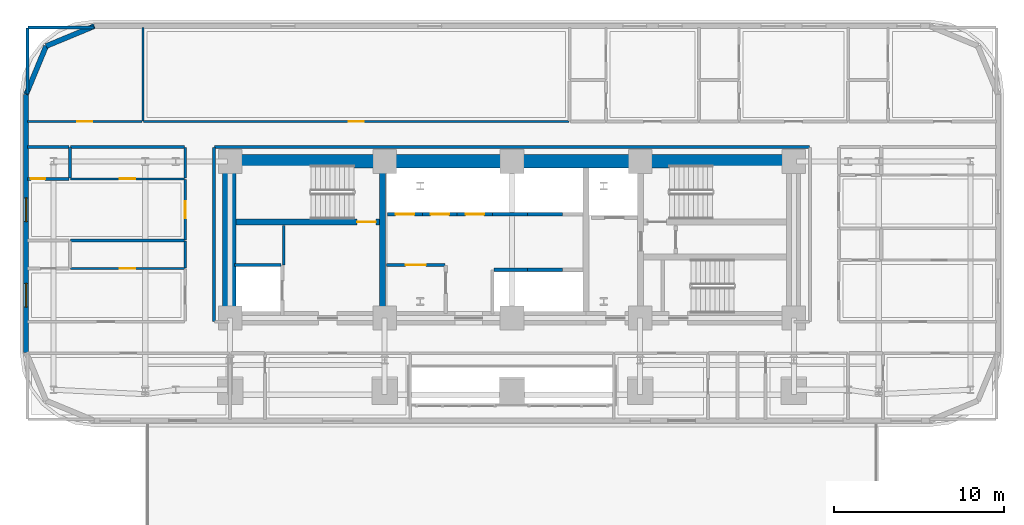
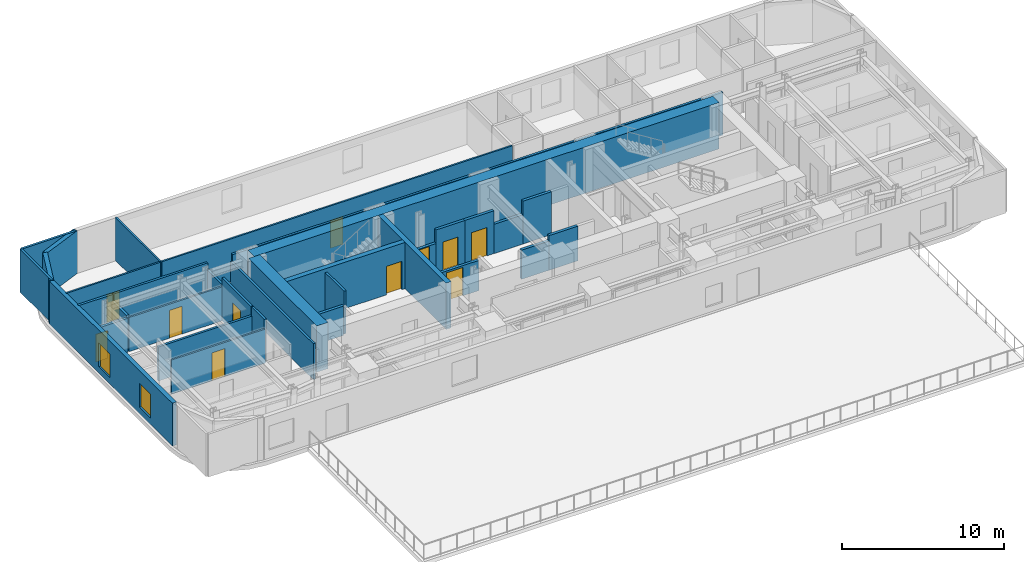
# One storey, part 8 of 15: 34 walls, 11 doors, 2 windows, 13 openings.
"""IFC4 building model written with IfcOpenShell, lengths in metres."""

from ifc_helpers import new_model, si_unit, direction, frame, frame_2d, origin, place, context, subcontext, project, spatial, rectangle, extrude, material, layer, layer_set, type_object, element, fill, save


model = new_model("IFC4")

# Units and contexts
model_context = context("Model", 3, precision=1e-05, world=origin(), true_north=direction((0.0, 1.0)))
body_context = subcontext(model_context, "Body", "Model", "MODEL_VIEW")
ifc_project = project(units=[si_unit("LENGTHUNIT", "METRE"), si_unit("AREAUNIT", "SQUARE_METRE"), si_unit("VOLUMEUNIT", "CUBIC_METRE"), si_unit("PLANEANGLEUNIT", "RADIAN"), si_unit("MASSUNIT", "GRAM", prefix="KILO")], contexts=[model_context])

# Site, building, storey
site_placement = place(None, origin())
site = spatial("IfcSite", under=ifc_project, at=site_placement, CompositionType="ELEMENT")
building_placement = place(site_placement, origin())
building = spatial("IfcBuilding", under=site, at=building_placement, Name="Zarnavel Station Tower", CompositionType="ELEMENT")
storey_placement = place(building_placement, frame((0.0, 0.0, 29.0)))
storey = spatial("IfcBuildingStorey", under=building, at=storey_placement, Name="L07", CompositionType="ELEMENT", Elevation=29.0)

# Wall
ifc_material_1 = material(Name="Concrete C50/60", Category="concrete")
ifc_layer_1 = layer(ifc_material_1, 0.35009765625)
ifc_layer_set_1 = layer_set([ifc_layer_1], Name="CW_350")
wall_type_1 = type_object("IfcWallType", Name="CW_350", PredefinedType="SHEAR", material=ifc_layer_set_1)
wall_1_placement = place(storey_placement, frame((21.179931640625, 28.219970703125, 0.0), z_axis=(0.0, 0.0, 1.0), x_axis=(0.0, 1.0, 0.0)))
element("IfcWall", 1, at=wall_1_placement, inside=storey, type_object=wall_type_1, Name="L07 Rear Core Shear Wall DIV-W", PredefinedType="SHEAR", context=body_context, shape_type="SweptSolid", body=[
    extrude(rectangle(XDim=8.429931640625, YDim=0.35009765625, at=frame_2d((4.21484375, 0.0))), origin(), (0.0, 0.0, 1.0), 3.5),
])

# Wall, opening, door
wall_2_placement = place(storey_placement, frame((21.0048828125, 33.47998046875, 0.0), z_axis=(0.0, 0.0, 1.0), x_axis=(-1.0, 0.0, 0.0)))
wall_2 = element("IfcWall", 2, at=wall_2_placement, inside=storey, type_object=wall_type_1, Name="L07 Rear Core Shear Wall DIV-H1", PredefinedType="SHEAR", context=body_context, shape_type="SweptSolid", body=[
    extrude(rectangle(XDim=8.454833984375, YDim=0.35009765625, at=frame_2d((4.2275390625, 0.0))), origin(), (0.0, 0.0, 1.0), 3.5),
])
opening_1_placement = place(wall_2_placement, frame((0.219970703125, 0.0, 0.0)))
opening_1 = element("IfcOpeningElement", 3, at=opening_1_placement, cuts=wall_2, Name="Opening FD01", PredefinedType="OPENING", context=body_context, shape_type="SweptSolid", body=[
    extrude(rectangle(XDim=1.10009765625, YDim=2.14990234375, at=frame_2d((0.550048828125, 1.074951171875))), frame((0.0, 0.18505859375, 0.0), z_axis=(0.0, -1.0, 0.0), x_axis=(1.0, 0.0, 0.0)), (0.0, 0.0, 1.0), 0.3701171875),
])
ifc_material_2 = material(Name="Painted Galvanised Steel and Hardwood Leaf", Category="steel")
door_type_1 = type_object("IfcDoorType", Name="ID_STAIR_1100", OperationType="NOTDEFINED", PredefinedType="DOOR", material=ifc_material_2)
door_1_placement = place(opening_1_placement, origin())
door_1 = element("IfcDoor", 4, at=door_1_placement, inside=storey, type_object=door_type_1, Name="L07 Stair ST1 Lobby Fire Door", OperationType="SINGLE_SWING_LEFT", OverallHeight=2.14990234375, OverallWidth=1.10009765625, PredefinedType="DOOR", context=body_context, shape_type="SweptSolid", body=[
    extrude(rectangle(XDim=1.10009765625, YDim=2.14990234375, at=frame_2d((0.550048828125, 1.074951171875))), frame((0.0, 0.02490234375, 0.0), z_axis=(0.0, -1.0, 0.0), x_axis=(1.0, 0.0, 0.0)), (0.0, 0.0, 1.0), 0.050048828125),
])
fill(opening_1, door_1)

# Walls
ifc_material_3 = material(Name="Concrete C60/75", Category="concrete")
ifc_layer_2 = layer(ifc_material_3, 0.800048828125)
ifc_layer_set_2 = layer_set([ifc_layer_2], Name="CW_800")
wall_type_2 = type_object("IfcWallType", Name="CW_800", PredefinedType="SHEAR", material=ifc_layer_set_2)
wall_3_placement = place(storey_placement, frame((12.14990234375, 37.050048828125, 0.0), z_axis=(0.0, 0.0, 1.0), x_axis=(1.0, 0.0, 0.0)))
element("IfcWall", 5, at=wall_3_placement, inside=storey, type_object=wall_type_2, Name="L07 Rear Core Shear Wall N", PredefinedType="SHEAR", context=body_context, shape_type="SweptSolid", body=[
    extrude(rectangle(XDim=33.22998046875, YDim=0.800048828125, at=frame_2d((16.614990234375, 0.0))), origin(), (0.0, 0.0, 1.0), 3.5),
])
wall_4_placement = place(storey_placement, frame((12.14990234375, 28.219970703125, 0.0), z_axis=(0.0, 0.0, 1.0), x_axis=(0.0, 1.0, 0.0)))
element("IfcWall", 6, at=wall_4_placement, inside=storey, type_object=wall_type_2, Name="L07 Rear Core Shear Wall W", PredefinedType="SHEAR", context=body_context, shape_type="SweptSolid", body=[
    extrude(rectangle(XDim=8.429931640625, YDim=0.800048828125, at=frame_2d((4.21484375, 0.0))), origin(), (0.0, 0.0, 1.0), 3.5),
])
ifc_material_4 = material(Name="Precast concrete C45/55 (Dark Basalt Finish)", Category="masonry")
ifc_layer_3 = layer(ifc_material_4, 0.300048828125)
ifc_layer_set_3 = layer_set([ifc_layer_3], Name="EW_BASALT_300")
wall_type_3 = type_object("IfcWallType", Name="EW_BASALT_300", PredefinedType="SOLIDWALL", material=ifc_layer_set_3)
for number, where, z_axis, x_axis, name in (
    (7, (1.357421875, 43.842529296875, 0.0), (0.0, 0.0, 1.0), (0.923870793506, 0.382704529509, 0.0), "L07 Exterior Basalt Masonry Frame Wall 07"),
    (8, (0.179931640625, 41.0, 0.0), (0.0, 0.0, 1.0), (0.382704529509, 0.923870793506, 0.0), "L07 Exterior Basalt Masonry Frame Wall 08"),
):
    element("IfcWall", number, at=place(storey_placement, frame(where, z_axis=z_axis, x_axis=x_axis)), inside=storey, type_object=wall_type_3, Name=name, PredefinedType="SOLIDWALL", context=body_context, shape_type="SweptSolid", body=[
        extrude(rectangle(XDim=3.07666015625, YDim=0.300048828125, at=frame_2d((1.538330078125, 0.0))), origin(), (0.0, 0.0, 1.0), 3.239990234375),
    ])

# Wall, openings, windows
wall_5_placement = place(storey_placement, frame((0.179931640625, 25.800048828125, 0.0), z_axis=(0.0, 0.0, 1.0), x_axis=(0.0, 1.0, 0.0)))
wall_5 = element("IfcWall", 9, at=wall_5_placement, inside=storey, type_object=wall_type_3, Name="L07 Exterior Basalt Masonry Frame Wall 09", PredefinedType="SOLIDWALL", context=body_context, shape_type="SweptSolid", body=[
    extrude(rectangle(XDim=15.199951171875, YDim=0.300048828125, at=frame_2d((7.60009765625, 0.0))), origin(), (0.0, 0.0, 1.0), 3.239990234375),
])
opening_2_placement = place(wall_5_placement, frame((2.67041015625, 0.0, 0.47998046875)))
opening_2 = element("IfcOpeningElement", 10, at=opening_2_placement, cuts=wall_5, Name="Opening WN01", PredefinedType="OPENING", context=body_context, shape_type="SweptSolid", body=[
    extrude(rectangle(XDim=1.39990234375, YDim=1.800048828125, at=frame_2d((0.699951171875, 0.89990234375))), frame((0.0, 0.159912109375, 0.0), z_axis=(0.0, -1.0, 0.0), x_axis=(1.0, 0.0, 0.0)), (0.0, 0.0, 1.0), 0.320068359375),
])
opening_3_placement = place(wall_5_placement, frame((7.708984375, 0.0, 0.47998046875)))
opening_3 = element("IfcOpeningElement", 11, at=opening_3_placement, cuts=wall_5, Name="Opening WN01", PredefinedType="OPENING", context=body_context, shape_type="SweptSolid", body=[
    extrude(rectangle(XDim=1.39990234375, YDim=1.800048828125, at=frame_2d((0.699951171875, 0.89990234375))), frame((0.0, 0.159912109375, 0.0), z_axis=(0.0, -1.0, 0.0), x_axis=(1.0, 0.0, 0.0)), (0.0, 0.0, 1.0), 0.320068359375),
])
ifc_material_5 = material(Name="Thermally Broken Black Aluminium and Low-E Dark Glass", Category="aluminium")
window_type = type_object("IfcWindowType", Name="WN_1400x1800", PartitioningType="DOUBLE_PANEL_VERTICAL", PredefinedType="WINDOW", material=ifc_material_5)
window_1_placement = place(opening_2_placement, origin())
window_1 = element("IfcWindow", 12, at=window_1_placement, inside=storey, type_object=window_type, Name="L07 Recessed Facade Window 01", OverallHeight=1.800048828125, OverallWidth=1.39990234375, PartitioningType="SINGLE_PANEL", PredefinedType="WINDOW", context=body_context, shape_type="SweptSolid", body=[
    extrude(rectangle(XDim=1.39990234375, YDim=1.800048828125, at=frame_2d((0.699951171875, 0.89990234375))), frame((0.0, 0.030029296875, 0.0), z_axis=(0.0, -1.0, 0.0), x_axis=(1.0, 0.0, 0.0)), (0.0, 0.0, 1.0), 0.06005859375),
])
fill(opening_2, window_1)
window_2_placement = place(opening_3_placement, origin())
window_2 = element("IfcWindow", 13, at=window_2_placement, inside=storey, type_object=window_type, Name="L07 Recessed Facade Window 02", OverallHeight=1.800048828125, OverallWidth=1.39990234375, PartitioningType="SINGLE_PANEL", PredefinedType="WINDOW", context=body_context, shape_type="SweptSolid", body=[
    extrude(rectangle(XDim=1.39990234375, YDim=1.800048828125, at=frame_2d((0.699951171875, 0.89990234375))), frame((0.0, 0.030029296875, 0.0), z_axis=(0.0, -1.0, 0.0), x_axis=(1.0, 0.0, 0.0)), (0.0, 0.0, 1.0), 0.06005859375),
])
fill(opening_3, window_2)

# Wall
ifc_material_6 = material(Name="Gypsum Twin-Stud Acoustic Fire Partition", Category="concrete")
ifc_layer_4 = layer(ifc_material_6, 0.159912109375)
ifc_layer_set_4 = layer_set([ifc_layer_4], Name="PT_DEMISE_160")
wall_type_4 = type_object("IfcWallType", Name="PT_DEMISE_160", PredefinedType="PARTITIONING", material=ifc_layer_set_4)
wall_6_placement = place(storey_placement, frame((9.550048828125, 30.781005859375, 0.0), z_axis=(0.0, 0.0, 1.0), x_axis=(0.0, 1.0, 0.0)))
element("IfcWall", 14, at=wall_6_placement, inside=storey, type_object=wall_type_4, Name="L07 Partition COR-W-FNW1S", PredefinedType="PARTITIONING", context=body_context, shape_type="SweptSolid", body=[
    extrude(rectangle(XDim=1.570068359375, YDim=0.159912109375, at=frame_2d((0.78515625, 0.0))), origin(), (0.0, 0.0, 1.0), 3.239990234375),
])

# Wall, opening, door
wall_7_placement = place(storey_placement, frame((9.550048828125, 32.430908203125, 0.0), z_axis=(0.0, 0.0, 1.0), x_axis=(0.0, 1.0, 0.0)))
wall_7 = element("IfcWall", 15, at=wall_7_placement, inside=storey, type_object=wall_type_4, Name="L07 Partition COR-W-FNW2R", PredefinedType="PARTITIONING", context=body_context, shape_type="SweptSolid", body=[
    extrude(rectangle(XDim=3.55615234375, YDim=0.159912109375, at=frame_2d((1.778076171875, 0.0))), origin(), (0.0, 0.0, 1.0), 3.239990234375),
])
opening_4_placement = place(wall_7_placement, frame((1.278076171875, 0.0, 0.0)))
opening_4 = element("IfcOpeningElement", 16, at=opening_4_placement, cuts=wall_7, Name="Opening FD02", PredefinedType="OPENING", context=body_context, shape_type="SweptSolid", body=[
    extrude(rectangle(XDim=1.0, YDim=2.14990234375, at=frame_2d((0.5, 1.074951171875))), frame((0.0, 0.08984375, 0.0), z_axis=(0.0, -1.0, 0.0), x_axis=(1.0, 0.0, 0.0)), (0.0, 0.0, 1.0), 0.179931640625),
])
ifc_material_7 = material(Name="Painted Galvanised Steel and Hardwood Leaf", Category="steel")
door_type_2 = type_object("IfcDoorType", Name="ID_ENTRY_1000", OperationType="NOTDEFINED", PredefinedType="DOOR", material=ifc_material_7)
door_2_placement = place(opening_4_placement, origin())
door_2 = element("IfcDoor", 17, at=door_2_placement, inside=storey, type_object=door_type_2, Name="L07 Door COR-W-FNW2R", OperationType="SINGLE_SWING_RIGHT", OverallHeight=2.14990234375, OverallWidth=1.0, PredefinedType="DOOR", context=body_context, shape_type="SweptSolid", body=[
    extrude(rectangle(XDim=1.0, YDim=2.14990234375, at=frame_2d((0.5, 1.074951171875))), frame((0.0, 0.02490234375, 0.0), z_axis=(0.0, -1.0, 0.0), x_axis=(1.0, 0.0, 0.0)), (0.0, 0.0, 1.0), 0.050048828125),
])
fill(opening_4, door_2)

# Walls
wall_8_placement = place(storey_placement, frame((9.550048828125, 36.06689453125, 0.0), z_axis=(0.0, 0.0, 1.0), x_axis=(0.0, 1.0, 0.0)))
element("IfcWall", 18, at=wall_8_placement, inside=storey, type_object=wall_type_4, Name="L07 Partition COR-W-FNW2S", PredefinedType="PARTITIONING", context=body_context, shape_type="SweptSolid", body=[
    extrude(rectangle(XDim=1.793212890625, YDim=0.159912109375, at=frame_2d((0.896484375, 0.0))), origin(), (0.0, 0.0, 1.0), 2.719970703125),
])
wall_9_placement = place(storey_placement, frame((2.800048828125, 37.89990234375, 0.0), z_axis=(0.0, 0.0, 1.0), x_axis=(1.0, 0.0, 0.0)))
element("IfcWall", 19, at=wall_9_placement, inside=storey, type_object=wall_type_4, Name="L07 Partition COR-N-FNW2S", PredefinedType="PARTITIONING", context=body_context, shape_type="SweptSolid", body=[
    extrude(rectangle(XDim=6.7099609375, YDim=0.159912109375, at=frame_2d((3.35498046875, 0.0))), origin(), (0.0, 0.0, 1.0), 3.239990234375),
])
wall_10_placement = place(storey_placement, frame((2.800048828125, 32.39111328125, 0.0), z_axis=(0.0, 0.0, 1.0), x_axis=(1.0, 0.0, 0.0)))
element("IfcWall", 20, at=wall_10_placement, inside=storey, type_object=wall_type_4, Name="L07 Partition FNW1S-FNW2R", PredefinedType="PARTITIONING", context=body_context, shape_type="SweptSolid", body=[
    extrude(rectangle(XDim=6.7099609375, YDim=0.159912109375, at=frame_2d((3.35498046875, 0.0))), origin(), (0.0, 0.0, 1.0), 2.570068359375),
])
wall_11_placement = place(storey_placement, frame((15.35009765625, 30.9599609375, 0.0), z_axis=(0.0, 0.0, 1.0), x_axis=(0.0, 1.0, 0.0)))
element("IfcWall", 21, at=wall_11_placement, inside=storey, type_object=wall_type_4, Name="L07 Enclosure Wall FFL1", PredefinedType="PARTITIONING", context=body_context, shape_type="SweptSolid", body=[
    extrude(rectangle(XDim=2.31005859375, YDim=0.159912109375, at=frame_2d((1.155029296875, 0.0))), origin(), (0.0, 0.0, 1.0), 3.239990234375),
])
wall_12_placement = place(storey_placement, frame((11.25, 27.6298828125, 0.0), z_axis=(0.0, 0.0, 1.0), x_axis=(0.0, 1.0, 0.0)))
element("IfcWall", 22, at=wall_12_placement, inside=storey, type_object=wall_type_4, Name="L07 Enclosure Wall COR-W", PredefinedType="PARTITIONING", context=body_context, shape_type="SweptSolid", body=[
    extrude(rectangle(XDim=10.240234375, YDim=0.159912109375, at=frame_2d((5.1201171875, 0.0))), origin(), (0.0, 0.0, 1.0), 2.719970703125),
])
wall_13_placement = place(storey_placement, frame((11.280029296875, 37.89990234375, 0.0), z_axis=(0.0, 0.0, 1.0), x_axis=(1.0, 0.0, 0.0)))
element("IfcWall", 23, at=wall_13_placement, inside=storey, type_object=wall_type_4, Name="L07 Enclosure Wall COR-N", PredefinedType="PARTITIONING", context=body_context, shape_type="SweptSolid", body=[
    extrude(rectangle(XDim=35.0400390625, YDim=0.159912109375, at=frame_2d((17.52001953125, 0.0))), origin(), (0.0, 0.0, 1.0), 3.239990234375),
])
for number, where, z_axis, x_axis, name in (
    (24, (0.2900390625, 44.93994140625, 0.0), (0.0, 0.0, 1.0), (1.0, 0.0, 0.0), "L07 Enclosure Wall HSKP"),
    (25, (0.260009765625, 41.030029296875, 0.0), (0.0, 0.0, 1.0), (0.0, 1.0, 0.0), "L07 Enclosure Wall HSKP"),
):
    element("IfcWall", number, at=place(storey_placement, frame(where, z_axis=z_axis, x_axis=x_axis)), inside=storey, type_object=wall_type_4, Name=name, PredefinedType="PARTITIONING", context=body_context, shape_type="SweptSolid", body=[
        extrude(rectangle(XDim=3.8798828125, YDim=0.159912109375, at=frame_2d((1.93994140625, 0.0))), origin(), (0.0, 0.0, 1.0), 3.239990234375),
    ])

# Wall, opening, door
ifc_material_8 = material(Name="Gypsum Metal-Stud Interior Partition", Category="concrete")
ifc_layer_5 = layer(ifc_material_8, 0.1201171875)
ifc_layer_set_5 = layer_set([ifc_layer_5], Name="PT_ROOM_120")
wall_type_5 = type_object("IfcWallType", Name="PT_ROOM_120", PredefinedType="PARTITIONING", material=ifc_layer_set_5)
wall_14_placement = place(storey_placement, frame((0.260009765625, 39.39990234375, 0.0), z_axis=(0.0, 0.0, 1.0), x_axis=(1.0, 0.0, 0.0)))
wall_14 = element("IfcWall", 26, at=wall_14_placement, inside=storey, type_object=wall_type_5, Name="L07 Partition COR-N-HSKP", PredefinedType="PARTITIONING", context=body_context, shape_type="SweptSolid", body=[
    extrude(rectangle(XDim=6.760009765625, YDim=0.1201171875, at=frame_2d((3.3798828125, 0.0))), origin(), (0.0, 0.0, 1.0), 3.239990234375),
])
opening_5_placement = place(wall_14_placement, frame((2.929931640625, 0.0, 0.0)))
opening_5 = element("IfcOpeningElement", 27, at=opening_5_placement, cuts=wall_14, Name="Opening ID01", PredefinedType="OPENING", context=body_context, shape_type="SweptSolid", body=[
    extrude(rectangle(XDim=0.89990234375, YDim=2.10009765625, at=frame_2d((0.449951171875, 1.050048828125))), frame((0.0, 0.070068359375, 0.0), z_axis=(0.0, -1.0, 0.0), x_axis=(1.0, 0.0, 0.0)), (0.0, 0.0, 1.0), 0.14013671875),
])
ifc_material_9 = material(Name="Painted Galvanised Steel and Hardwood Leaf", Category="steel")
door_type_3 = type_object("IfcDoorType", Name="ID_ROOM_900", OperationType="NOTDEFINED", PredefinedType="DOOR", material=ifc_material_9)
door_3_placement = place(opening_5_placement, origin())
door_3 = element("IfcDoor", 28, at=door_3_placement, inside=storey, type_object=door_type_3, Name="L07 Door COR-N-HSKP", OperationType="SINGLE_SWING_LEFT", OverallHeight=2.10009765625, OverallWidth=0.89990234375, PredefinedType="DOOR", context=body_context, shape_type="SweptSolid", body=[
    extrude(rectangle(XDim=0.89990234375, YDim=2.10009765625, at=frame_2d((0.449951171875, 1.050048828125))), frame((0.0, 0.02490234375, 0.0), z_axis=(0.0, -1.0, 0.0), x_axis=(1.0, 0.0, 0.0)), (0.0, 0.0, 1.0), 0.050048828125),
])
fill(opening_5, door_3)

wall_15_placement = place(storey_placement, frame((7.10009765625, 39.39990234375, 0.0), z_axis=(0.0, 0.0, 1.0), x_axis=(1.0, 0.0, 0.0)))
wall_15 = element("IfcWall", 29, at=wall_15_placement, inside=storey, type_object=wall_type_5, Name="L07 Partition COR-N-NCLB", PredefinedType="PARTITIONING", context=body_context, shape_type="SweptSolid", body=[
    extrude(rectangle(XDim=25.059814453125, YDim=0.1201171875, at=frame_2d((12.52978515625, 0.0))), origin(), (0.0, 0.0, 1.0), 3.239990234375),
])
opening_6_placement = place(wall_15_placement, frame((12.080078125, 0.0, 0.0)))
opening_6 = element("IfcOpeningElement", 30, at=opening_6_placement, cuts=wall_15, Name="Opening ID01", PredefinedType="OPENING", context=body_context, shape_type="SweptSolid", body=[
    extrude(rectangle(XDim=0.89990234375, YDim=2.10009765625, at=frame_2d((0.449951171875, 1.050048828125))), frame((0.0, 0.070068359375, 0.0), z_axis=(0.0, -1.0, 0.0), x_axis=(1.0, 0.0, 0.0)), (0.0, 0.0, 1.0), 0.14013671875),
])
door_4_placement = place(opening_6_placement, origin())
door_4 = element("IfcDoor", 31, at=door_4_placement, inside=storey, type_object=door_type_3, Name="L07 Door COR-N-NCLB", OperationType="SINGLE_SWING_RIGHT", OverallHeight=2.10009765625, OverallWidth=0.89990234375, PredefinedType="DOOR", context=body_context, shape_type="SweptSolid", body=[
    extrude(rectangle(XDim=0.89990234375, YDim=2.10009765625, at=frame_2d((0.449951171875, 1.050048828125))), frame((0.0, 0.02490234375, 0.0), z_axis=(0.0, -1.0, 0.0), x_axis=(1.0, 0.0, 0.0)), (0.0, 0.0, 1.0), 0.050048828125),
])
fill(opening_6, door_4)

wall_16_placement = place(storey_placement, frame((2.800048828125, 30.740966796875, 0.0), z_axis=(0.0, 0.0, 1.0), x_axis=(1.0, 0.0, 0.0)))
wall_16 = element("IfcWall", 32, at=wall_16_placement, inside=storey, type_object=wall_type_5, Name="L07 Partition FNW1R-FNW1S", PredefinedType="PARTITIONING", context=body_context, shape_type="SweptSolid", body=[
    extrude(rectangle(XDim=6.7099609375, YDim=0.1201171875, at=frame_2d((3.35498046875, 0.0))), origin(), (0.0, 0.0, 1.0), 2.570068359375),
])
opening_7_placement = place(wall_16_placement, frame((2.905029296875, 0.0, 0.0)))
opening_7 = element("IfcOpeningElement", 33, at=opening_7_placement, cuts=wall_16, Name="Opening ID01", PredefinedType="OPENING", context=body_context, shape_type="SweptSolid", body=[
    extrude(rectangle(XDim=0.89990234375, YDim=2.10009765625, at=frame_2d((0.449951171875, 1.050048828125))), frame((0.0, 0.070068359375, 0.0), z_axis=(0.0, -1.0, 0.0), x_axis=(1.0, 0.0, 0.0)), (0.0, 0.0, 1.0), 0.14013671875),
])
door_5_placement = place(opening_7_placement, origin())
door_5 = element("IfcDoor", 34, at=door_5_placement, inside=storey, type_object=door_type_3, Name="L07 Door FNW1R-FNW1S", OperationType="SINGLE_SWING_LEFT", OverallHeight=2.10009765625, OverallWidth=0.89990234375, PredefinedType="DOOR", context=body_context, shape_type="SweptSolid", body=[
    extrude(rectangle(XDim=0.89990234375, YDim=2.10009765625, at=frame_2d((0.449951171875, 1.050048828125))), frame((0.0, 0.02490234375, 0.0), z_axis=(0.0, -1.0, 0.0), x_axis=(1.0, 0.0, 0.0)), (0.0, 0.0, 1.0), 0.050048828125),
])
fill(opening_7, door_5)

wall_17_placement = place(storey_placement, frame((2.800048828125, 36.027099609375, 0.0), z_axis=(0.0, 0.0, 1.0), x_axis=(1.0, 0.0, 0.0)))
wall_17 = element("IfcWall", 35, at=wall_17_placement, inside=storey, type_object=wall_type_5, Name="L07 Partition FNW2R-FNW2S", PredefinedType="PARTITIONING", context=body_context, shape_type="SweptSolid", body=[
    extrude(rectangle(XDim=6.7099609375, YDim=0.1201171875, at=frame_2d((3.35498046875, 0.0))), origin(), (0.0, 0.0, 1.0), 2.570068359375),
])
opening_8_placement = place(wall_17_placement, frame((2.905029296875, 0.0, 0.0)))
opening_8 = element("IfcOpeningElement", 36, at=opening_8_placement, cuts=wall_17, Name="Opening ID01", PredefinedType="OPENING", context=body_context, shape_type="SweptSolid", body=[
    extrude(rectangle(XDim=0.89990234375, YDim=2.10009765625, at=frame_2d((0.449951171875, 1.050048828125))), frame((0.0, 0.070068359375, 0.0), z_axis=(0.0, -1.0, 0.0), x_axis=(1.0, 0.0, 0.0)), (0.0, 0.0, 1.0), 0.14013671875),
])
door_6_placement = place(opening_8_placement, origin())
door_6 = element("IfcDoor", 37, at=door_6_placement, inside=storey, type_object=door_type_3, Name="L07 Door FNW2R-FNW2S", OperationType="SINGLE_SWING_LEFT", OverallHeight=2.10009765625, OverallWidth=0.89990234375, PredefinedType="DOOR", context=body_context, shape_type="SweptSolid", body=[
    extrude(rectangle(XDim=0.89990234375, YDim=2.10009765625, at=frame_2d((0.449951171875, 1.050048828125))), frame((0.0, 0.02490234375, 0.0), z_axis=(0.0, -1.0, 0.0), x_axis=(1.0, 0.0, 0.0)), (0.0, 0.0, 1.0), 0.050048828125),
])
fill(opening_8, door_6)

# Walls
wall_18_placement = place(storey_placement, frame((7.06005859375, 39.43994140625, 0.0), z_axis=(0.0, 0.0, 1.0), x_axis=(0.0, 1.0, 0.0)))
element("IfcWall", 38, at=wall_18_placement, inside=storey, type_object=wall_type_5, Name="L07 Partition HSKP-NCLB", PredefinedType="PARTITIONING", context=body_context, shape_type="SweptSolid", body=[
    extrude(rectangle(XDim=5.5, YDim=0.1201171875, at=frame_2d((2.75, 0.0))), origin(), (0.0, 0.0, 1.0), 3.239990234375),
])
ifc_material_10 = material(Name="Precast concrete C45/55 (Fire Shaft Blockwork)", Category="masonry")
ifc_layer_6 = layer(ifc_material_10, 0.199951171875)
ifc_layer_set_6 = layer_set([ifc_layer_6], Name="PT_SHAFT_200")
wall_type_6 = type_object("IfcWallType", Name="PT_SHAFT_200", PredefinedType="PARTITIONING", material=ifc_layer_set_6)
wall_19_placement = place(storey_placement, frame((12.449951171875, 30.949951171875, 0.0), z_axis=(0.0, 0.0, 1.0), x_axis=(1.0, 0.0, 0.0)))
element("IfcWall", 39, at=wall_19_placement, inside=storey, type_object=wall_type_6, Name="L07 Lift FFL-01 North Shaft Wall", PredefinedType="PARTITIONING", context=body_context, shape_type="SweptSolid", body=[
    extrude(rectangle(XDim=2.75, YDim=0.199951171875, at=frame_2d((1.375, 0.0))), origin(), (0.0, 0.0, 1.0), 2.2119140625),
])
wall_20_placement = place(storey_placement, frame((27.75, 30.669921875, 0.0), z_axis=(0.0, 0.0, 1.0), x_axis=(1.0, 0.0, 0.0)))
element("IfcWall", 40, at=wall_20_placement, inside=storey, type_object=wall_type_6, Name="L07 Lift PL-H1 Shaft Front Wall", PredefinedType="PARTITIONING", context=body_context, shape_type="SweptSolid", body=[
    extrude(rectangle(XDim=1.97509765625, YDim=0.199951171875, at=frame_2d((0.987548828125, 0.0))), origin(), (0.0, 0.0, 1.0), 2.2119140625),
])
wall_21_placement = place(storey_placement, frame((29.72509765625, 30.669921875, 0.0), z_axis=(0.0, 0.0, 1.0), x_axis=(1.0, 0.0, 0.0)))
element("IfcWall", 41, at=wall_21_placement, inside=storey, type_object=wall_type_6, Name="L07 Lift PL-H2 Shaft Front Wall", PredefinedType="PARTITIONING", context=body_context, shape_type="SweptSolid", body=[
    extrude(rectangle(XDim=2.0498046875, YDim=0.199951171875, at=frame_2d((1.02490234375, 0.0))), origin(), (0.0, 0.0, 1.0), 2.6201171875),
])

# Wall, opening, door
wall_22_placement = place(storey_placement, frame((21.4599609375, 33.929931640625, 0.0), z_axis=(0.0, 0.0, 1.0), x_axis=(1.0, 0.0, 0.0)))
wall_22 = element("IfcWall", 42, at=wall_22_placement, inside=storey, type_object=wall_type_6, Name="L07 Lift PL-L1 Shaft Front Wall", PredefinedType="PARTITIONING", context=body_context, shape_type="SweptSolid", body=[
    extrude(rectangle(XDim=2.06494140625, YDim=0.199951171875, at=frame_2d((1.032470703125, 0.0))), origin(), (0.0, 0.0, 1.0), 2.2119140625),
])
opening_9_placement = place(wall_22_placement, frame((0.482421875, 0.0, 0.0)))
opening_9 = element("IfcOpeningElement", 43, at=opening_9_placement, cuts=wall_22, Name="Opening LD02", PredefinedType="OPENING", context=body_context, shape_type="SweptSolid", body=[
    extrude(rectangle(XDim=1.10009765625, YDim=2.14990234375, at=frame_2d((0.550048828125, 1.074951171875))), frame((0.0, 0.10986328125, 0.0), z_axis=(0.0, -1.0, 0.0), x_axis=(1.0, 0.0, 0.0)), (0.0, 0.0, 1.0), 0.219970703125),
])
ifc_material_11 = material(Name="Painted Galvanised Steel and Hardwood Leaf", Category="steel")
door_type_4 = type_object("IfcDoorType", Name="LD_PAX_1100", OperationType="DOUBLE_DOOR_SLIDING", PredefinedType="DOOR", material=ifc_material_11)
door_7_placement = place(opening_9_placement, origin())
door_7 = element("IfcDoor", 44, at=door_7_placement, inside=storey, type_object=door_type_4, Name="L07 Lift PL-L1 Sliding Landing Door", OperationType="DOUBLE_DOOR_SLIDING", OverallHeight=2.14990234375, OverallWidth=1.10009765625, PredefinedType="DOOR", context=body_context, shape_type="SweptSolid", body=[
    extrude(rectangle(XDim=1.10009765625, YDim=2.14990234375, at=frame_2d((0.550048828125, 1.074951171875))), frame((0.0, 0.02490234375, 0.0), z_axis=(0.0, -1.0, 0.0), x_axis=(1.0, 0.0, 0.0)), (0.0, 0.0, 1.0), 0.050048828125),
])
fill(opening_9, door_7)

wall_23_placement = place(storey_placement, frame((23.52490234375, 33.929931640625, 0.0), z_axis=(0.0, 0.0, 1.0), x_axis=(1.0, 0.0, 0.0)))
wall_23 = element("IfcWall", 45, at=wall_23_placement, inside=storey, type_object=wall_type_6, Name="L07 Lift PL-L2 Shaft Front Wall", PredefinedType="PARTITIONING", context=body_context, shape_type="SweptSolid", body=[
    extrude(rectangle(XDim=2.050048828125, YDim=0.199951171875, at=frame_2d((1.02490234375, 0.0))), origin(), (0.0, 0.0, 1.0), 3.239990234375),
])
opening_10_placement = place(wall_23_placement, frame((0.47509765625, 0.0, 0.0)))
opening_10 = element("IfcOpeningElement", 46, at=opening_10_placement, cuts=wall_23, Name="Opening LD02", PredefinedType="OPENING", context=body_context, shape_type="SweptSolid", body=[
    extrude(rectangle(XDim=1.10009765625, YDim=2.14990234375, at=frame_2d((0.550048828125, 1.074951171875))), frame((0.0, 0.10986328125, 0.0), z_axis=(0.0, -1.0, 0.0), x_axis=(1.0, 0.0, 0.0)), (0.0, 0.0, 1.0), 0.219970703125),
])
door_8_placement = place(opening_10_placement, origin())
door_8 = element("IfcDoor", 47, at=door_8_placement, inside=storey, type_object=door_type_4, Name="L07 Lift PL-L2 Sliding Landing Door", OperationType="DOUBLE_DOOR_SLIDING", OverallHeight=2.14990234375, OverallWidth=1.10009765625, PredefinedType="DOOR", context=body_context, shape_type="SweptSolid", body=[
    extrude(rectangle(XDim=1.10009765625, YDim=2.14990234375, at=frame_2d((0.550048828125, 1.074951171875))), frame((0.0, 0.02490234375, 0.0), z_axis=(0.0, -1.0, 0.0), x_axis=(1.0, 0.0, 0.0)), (0.0, 0.0, 1.0), 0.050048828125),
])
fill(opening_10, door_8)

wall_24_placement = place(storey_placement, frame((25.574951171875, 33.929931640625, 0.0), z_axis=(0.0, 0.0, 1.0), x_axis=(1.0, 0.0, 0.0)))
wall_24 = element("IfcWall", 48, at=wall_24_placement, inside=storey, type_object=wall_type_6, Name="L07 Lift PL-L3 Shaft Front Wall", PredefinedType="PARTITIONING", context=body_context, shape_type="SweptSolid", body=[
    extrude(rectangle(XDim=2.074951171875, YDim=0.199951171875, at=frame_2d((1.03759765625, 0.0))), origin(), (0.0, 0.0, 1.0), 3.239990234375),
])
opening_11_placement = place(wall_24_placement, frame((0.487548828125, 0.0, 0.0)))
opening_11 = element("IfcOpeningElement", 49, at=opening_11_placement, cuts=wall_24, Name="Opening LD02", PredefinedType="OPENING", context=body_context, shape_type="SweptSolid", body=[
    extrude(rectangle(XDim=1.10009765625, YDim=2.14990234375, at=frame_2d((0.550048828125, 1.074951171875))), frame((0.0, 0.10986328125, 0.0), z_axis=(0.0, -1.0, 0.0), x_axis=(1.0, 0.0, 0.0)), (0.0, 0.0, 1.0), 0.219970703125),
])
door_9_placement = place(opening_11_placement, origin())
door_9 = element("IfcDoor", 50, at=door_9_placement, inside=storey, type_object=door_type_4, Name="L07 Lift PL-L3 Sliding Landing Door", OperationType="DOUBLE_DOOR_SLIDING", OverallHeight=2.14990234375, OverallWidth=1.10009765625, PredefinedType="DOOR", context=body_context, shape_type="SweptSolid", body=[
    extrude(rectangle(XDim=1.10009765625, YDim=2.14990234375, at=frame_2d((0.550048828125, 1.074951171875))), frame((0.0, 0.02490234375, 0.0), z_axis=(0.0, -1.0, 0.0), x_axis=(1.0, 0.0, 0.0)), (0.0, 0.0, 1.0), 0.050048828125),
])
fill(opening_11, door_9)

# Walls
wall_25_placement = place(storey_placement, frame((27.64990234375, 33.929931640625, 0.0), z_axis=(0.0, 0.0, 1.0), x_axis=(1.0, 0.0, 0.0)))
element("IfcWall", 51, at=wall_25_placement, inside=storey, type_object=wall_type_6, Name="L07 Lift PL-M1 Shaft Front Wall", PredefinedType="PARTITIONING", context=body_context, shape_type="SweptSolid", body=[
    extrude(rectangle(XDim=2.0751953125, YDim=0.199951171875, at=frame_2d((1.03759765625, 0.0))), origin(), (0.0, 0.0, 1.0), 2.2119140625),
])
wall_26_placement = place(storey_placement, frame((29.72509765625, 33.929931640625, 0.0), z_axis=(0.0, 0.0, 1.0), x_axis=(1.0, 0.0, 0.0)))
element("IfcWall", 52, at=wall_26_placement, inside=storey, type_object=wall_type_6, Name="L07 Lift PL-M2 Shaft Front Wall", PredefinedType="PARTITIONING", context=body_context, shape_type="SweptSolid", body=[
    extrude(rectangle(XDim=2.0498046875, YDim=0.199951171875, at=frame_2d((1.02490234375, 0.0))), origin(), (0.0, 0.0, 1.0), 3.239990234375),
])

# Wall, opening, door
wall_27_placement = place(storey_placement, frame((21.39990234375, 30.949951171875, 0.0), z_axis=(0.0, 0.0, 1.0), x_axis=(1.0, 0.0, 0.0)))
wall_27 = element("IfcWall", 53, at=wall_27_placement, inside=storey, type_object=wall_type_6, Name="L07 Partition LLOB-CS1", PredefinedType="PARTITIONING", context=body_context, shape_type="SweptSolid", body=[
    extrude(rectangle(XDim=3.460205078125, YDim=0.199951171875, at=frame_2d((1.72998046875, 0.0))), origin(), (0.0, 0.0, 1.0), 2.280029296875),
])
opening_12_placement = place(wall_27_placement, frame((1.1298828125, 0.0, 0.0)))
opening_12 = element("IfcOpeningElement", 54, at=opening_12_placement, cuts=wall_27, Name="Opening FD03", PredefinedType="OPENING", context=body_context, shape_type="SweptSolid", body=[
    extrude(rectangle(XDim=1.199951171875, YDim=2.14990234375, at=frame_2d((0.60009765625, 1.074951171875))), frame((0.0, 0.10986328125, 0.0), z_axis=(0.0, -1.0, 0.0), x_axis=(1.0, 0.0, 0.0)), (0.0, 0.0, 1.0), 0.219970703125),
])
ifc_material_12 = material(Name="Painted Galvanised Steel and Hardwood Leaf", Category="steel")
door_type_5 = type_object("IfcDoorType", Name="ID_PLANT_1200", OperationType="NOTDEFINED", PredefinedType="DOOR", material=ifc_material_12)
door_10_placement = place(opening_12_placement, origin())
door_10 = element("IfcDoor", 55, at=door_10_placement, inside=storey, type_object=door_type_5, Name="L07 Door LLOB-CS1", OperationType="SINGLE_SWING_RIGHT", OverallHeight=2.14990234375, OverallWidth=1.199951171875, PredefinedType="DOOR", context=body_context, shape_type="SweptSolid", body=[
    extrude(rectangle(XDim=1.199951171875, YDim=2.14990234375, at=frame_2d((0.60009765625, 1.074951171875))), frame((0.0, 0.02490234375, 0.0), z_axis=(0.0, -1.0, 0.0), x_axis=(1.0, 0.0, 0.0)), (0.0, 0.0, 1.0), 0.050048828125),
])
fill(opening_12, door_10)

# Wall
ifc_material_13 = material(Name="Moisture-Resistant Plumbing Chase Wall", Category="concrete")
ifc_layer_7 = layer(ifc_material_13, 0.179931640625)
ifc_layer_set_7 = layer_set([ifc_layer_7], Name="PW_PLUMB_180")
wall_type_7 = type_object("IfcWallType", Name="PW_PLUMB_180", PredefinedType="PLUMBINGWALL", material=ifc_layer_set_7)
wall_28_placement = place(storey_placement, frame((0.260009765625, 37.89990234375, 0.0), z_axis=(0.0, 0.0, 1.0), x_axis=(1.0, 0.0, 0.0)))
element("IfcWall", 56, at=wall_28_placement, inside=storey, type_object=wall_type_7, Name="L07 Partition COR-N-FNW2B", PredefinedType="PLUMBINGWALL", context=body_context, shape_type="SweptSolid", body=[
    extrude(rectangle(XDim=2.4599609375, YDim=0.179931640625, at=frame_2d((1.22998046875, 0.0))), origin(), (0.0, 0.0, 1.0), 3.239990234375),
])

# Wall, opening, door
wall_29_placement = place(storey_placement, frame((2.719970703125, 36.027099609375, 0.0), z_axis=(0.0, 0.0, 1.0), x_axis=(-1.0, 0.0, 0.0)))
wall_29 = element("IfcWall", 57, at=wall_29_placement, inside=storey, type_object=wall_type_7, Name="L07 Partition FNW2R-FNW2B", PredefinedType="PLUMBINGWALL", context=body_context, shape_type="SweptSolid", body=[
    extrude(rectangle(XDim=2.4599609375, YDim=0.179931640625, at=frame_2d((1.22998046875, 0.0))), origin(), (0.0, 0.0, 1.0), 2.570068359375),
])
opening_13_placement = place(wall_29_placement, frame((1.41455078125, 0.0, 0.0)))
opening_13 = element("IfcOpeningElement", 58, at=opening_13_placement, cuts=wall_29, Name="Opening ID02", PredefinedType="OPENING", context=body_context, shape_type="SweptSolid", body=[
    extrude(rectangle(XDim=0.85009765625, YDim=2.10009765625, at=frame_2d((0.425048828125, 1.050048828125))), frame((0.0, 0.099853515625, 0.0), z_axis=(0.0, -1.0, 0.0), x_axis=(1.0, 0.0, 0.0)), (0.0, 0.0, 1.0), 0.199951171875),
])
ifc_material_14 = material(Name="Painted Galvanised Steel and Hardwood Leaf", Category="steel")
door_type_6 = type_object("IfcDoorType", Name="ID_BATH_850", OperationType="NOTDEFINED", PredefinedType="DOOR", material=ifc_material_14)
door_11_placement = place(opening_13_placement, origin())
door_11 = element("IfcDoor", 59, at=door_11_placement, inside=storey, type_object=door_type_6, Name="L07 Door FNW2R-FNW2B", OperationType="SINGLE_SWING_RIGHT", OverallHeight=2.10009765625, OverallWidth=0.85009765625, PredefinedType="DOOR", context=body_context, shape_type="SweptSolid", body=[
    extrude(rectangle(XDim=0.85009765625, YDim=2.10009765625, at=frame_2d((0.425048828125, 1.050048828125))), frame((0.0, 0.02490234375, 0.0), z_axis=(0.0, -1.0, 0.0), x_axis=(1.0, 0.0, 0.0)), (0.0, 0.0, 1.0), 0.050048828125),
])
fill(opening_13, door_11)

# Wall
wall_30_placement = place(storey_placement, frame((2.760009765625, 36.06689453125, 0.0), z_axis=(0.0, 0.0, 1.0), x_axis=(0.0, 1.0, 0.0)))
element("IfcWall", 60, at=wall_30_placement, inside=storey, type_object=wall_type_7, Name="L07 Partition FNW2B-FNW2S", PredefinedType="PLUMBINGWALL", context=body_context, shape_type="SweptSolid", body=[
    extrude(rectangle(XDim=1.793212890625, YDim=0.179931640625, at=frame_2d((0.896484375, 0.0))), origin(), (0.0, 0.0, 1.0), 2.719970703125),
])

save(model, "model.ifc")
